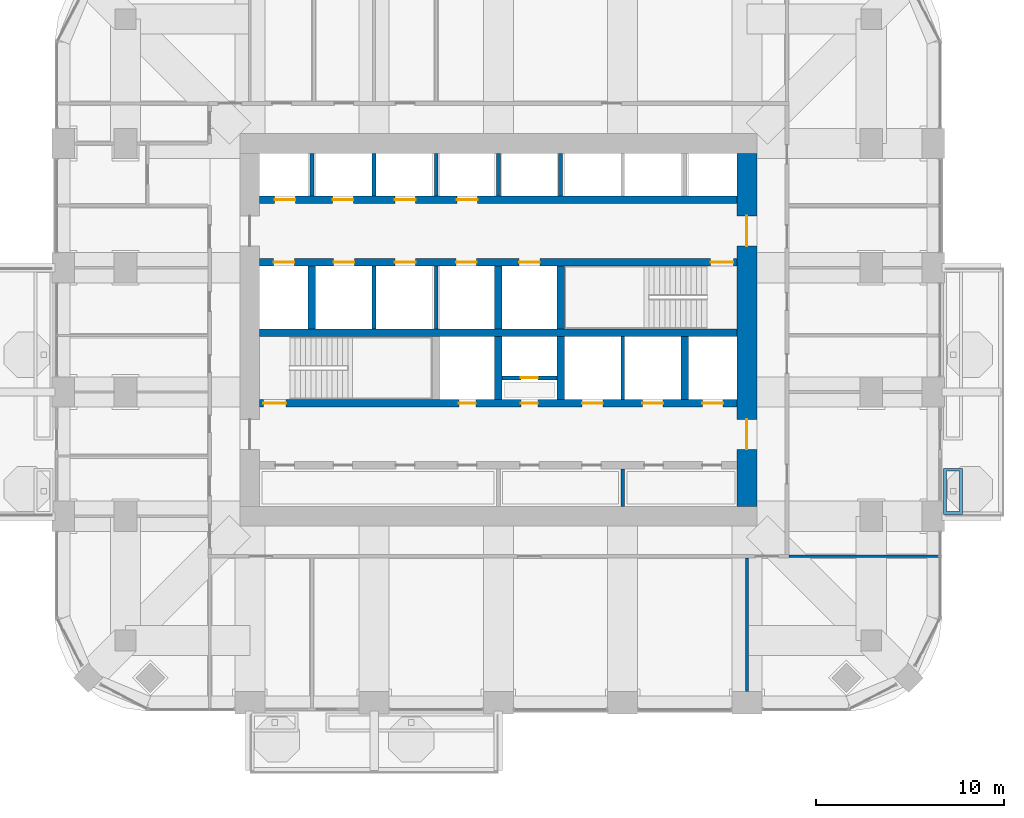
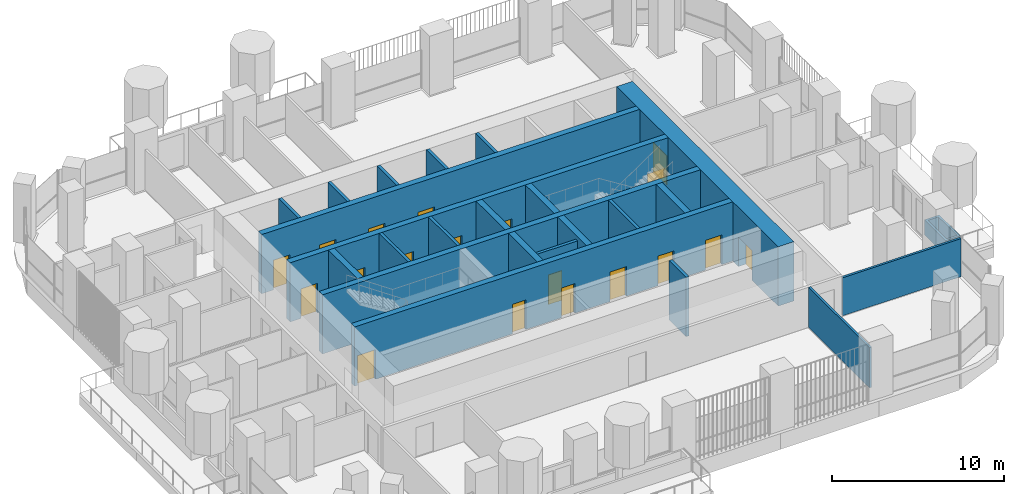
# One storey, part 13 of 20: 24 walls, 19 doors, 19 openings.
"""IFC4 building model written with IfcOpenShell, lengths in metres."""

import ifcopenshell
import ifcopenshell.guid

model = None  # the IFC model being written
_history = None  # IfcOwnerHistory: only IFC2X3 demands one
_inside = {}  # id of a spatial element -> (the spatial element, [elements in it])
_under = {}  # id of a project, library or spatial element -> (it, [spatial elements below it])
_declared = {}  # id of a project -> (the project, [libraries it declares])
_typed = {}  # id of a type object -> (the type object, [elements of that type])
_made_of = {}  # id of a material, layer set ... -> (it, [elements and type objects made of it])


def new_model(schema):
    """Start an empty IFC model of exactly this schema.

    Asked for "IFC4X3", IfcOpenShell would pick the latest addendum, in which some entities
    have other attributes; the version numbers below select the first issue.
    IFC2X3 requires an IfcOwnerHistory on every rooted entity: one is made here for all.
    """
    global model, _history
    if schema == "IFC4X3":
        model = ifcopenshell.file(schema_version=(4, 3, 0, 0))
    else:
        model = ifcopenshell.file(schema=schema)
    _inside.clear()
    _under.clear()
    _declared.clear()
    _typed.clear()
    _made_of.clear()
    _history = None
    if model.schema == "IFC2X3":
        org = make("IfcOrganization", Name="unknown")
        user = make(
            "IfcPersonAndOrganization",
            ThePerson=make("IfcPerson", FamilyName="unknown"),
            TheOrganization=org,
        )
        app = make(
            "IfcApplication",
            ApplicationDeveloper=org,
            Version="unknown",
            ApplicationFullName="unknown",
            ApplicationIdentifier="unknown",
        )
        _history = make(
            "IfcOwnerHistory",
            OwningUser=user,
            OwningApplication=app,
            ChangeAction="ADDED",
            CreationDate=0,
        )
    return model


def make(cls, **values):
    """One entity of the class cls with the attributes given. An attribute that is None is left unset."""
    return model.create_entity(
        cls, **{name: value for name, value in values.items() if value is not None}
    )


def rooted(cls, **values):
    """An entity with a GlobalId (a new one), such as an element, a storey or a relation."""
    return make(cls, GlobalId=ifcopenshell.guid.new(), OwnerHistory=_history, **values)


def si_unit(unit_type, name, prefix=None):
    """IfcSIUnit, for example si_unit("LENGTHUNIT", "METRE", prefix="MILLI")."""
    return make("IfcSIUnit", UnitType=unit_type, Prefix=prefix, Name=name)


def assignment(units):
    """IfcUnitAssignment: the units of a project."""
    return None if units is None else make("IfcUnitAssignment", Units=units)


def point(xyz):
    """IfcCartesianPoint."""
    return None if xyz is None else make("IfcCartesianPoint", Coordinates=xyz)


def direction(xyz):
    """IfcDirection."""
    return None if xyz is None else make("IfcDirection", DirectionRatios=xyz)


def frame(location, z_axis=None, x_axis=None):
    """IfcAxis2Placement3D, a coordinate frame: its origin and axes. An axis left out is left unset."""
    return make(
        "IfcAxis2Placement3D",
        Location=point(location),
        Axis=direction(z_axis),
        RefDirection=direction(x_axis),
    )


def frame_2d(location, x_axis=None):
    """IfcAxis2Placement2D, a coordinate frame in the plane: its origin and x axis."""
    return make(
        "IfcAxis2Placement2D", Location=point(location), RefDirection=direction(x_axis)
    )


def origin():
    """The frame at (0, 0, 0) with its axes left unset."""
    return frame((0.0, 0.0, 0.0))


def place(relative_to, where):
    """IfcLocalPlacement: puts the frame where relative to a parent placement (None: the world)."""
    return make(
        "IfcLocalPlacement", PlacementRelTo=relative_to, RelativePlacement=where
    )


def context(
    kind, dimensions, precision=None, world=None, true_north=None, identifier=None
):
    """IfcGeometricRepresentationContext, for example the 3D "Model" context."""
    return make(
        "IfcGeometricRepresentationContext",
        ContextIdentifier=identifier,
        ContextType=kind,
        CoordinateSpaceDimension=dimensions,
        Precision=precision,
        WorldCoordinateSystem=world,
        TrueNorth=true_north,
    )


def subcontext(parent, identifier, kind, view, scale=None):
    """IfcGeometricRepresentationSubContext, for example "Body" below "Model"."""
    return make(
        "IfcGeometricRepresentationSubContext",
        ContextIdentifier=identifier,
        ContextType=kind,
        ParentContext=parent,
        TargetScale=scale,
        TargetView=view,
    )


def project(units=None, contexts=None):
    """IfcProject with its units and contexts."""
    return rooted(
        "IfcProject",
        Name="project",
        RepresentationContexts=contexts,
        UnitsInContext=assignment(units),
    )


def spatial(cls, under=None, at=None, **own):
    """A site, building, storey or space (cls), placed at a placement, below another one or the project."""
    s = rooted(cls, ObjectPlacement=at, **own)
    if under is not None:
        _under.setdefault(under.id(), (under, []))[1].append(s)
    return s


def polyline(points):
    """IfcPolyline through the points."""
    return make("IfcPolyline", Points=[point(p) for p in points])


def profile(cls, at=None, kind="AREA", **sizes):
    """A parametric profile (cls). Its sizes go by their IFC names, for example OverallWidth=200.0."""
    return make(cls, ProfileType=kind, Position=at, **sizes)


def rectangle(**sizes):
    """IfcRectangleProfileDef."""
    return profile("IfcRectangleProfileDef", **sizes)


def outline(outer, holes=None, kind="AREA"):
    """IfcArbitraryClosedProfileDef: a profile drawn as a closed curve; with holes, ...WithVoids."""
    if holes is None:
        return make("IfcArbitraryClosedProfileDef", ProfileType=kind, OuterCurve=outer)
    return make(
        "IfcArbitraryProfileDefWithVoids",
        ProfileType=kind,
        OuterCurve=outer,
        InnerCurves=holes,
    )


def extrude(swept, where, along, depth):
    """IfcExtrudedAreaSolid: the profile swept, set in the frame where, extruded along a direction by depth."""
    return make(
        "IfcExtrudedAreaSolid",
        SweptArea=swept,
        Position=where,
        ExtrudedDirection=direction(along),
        Depth=depth,
    )


def shape(context_of_items, identifier, shape_type, items):
    """IfcShapeRepresentation: the items that make up one representation, for example the "Body"."""
    return make(
        "IfcShapeRepresentation",
        ContextOfItems=context_of_items,
        RepresentationIdentifier=identifier,
        RepresentationType=shape_type,
        Items=items,
    )


def material(Name=None, Category=None):
    """IfcMaterial."""
    return make("IfcMaterial", Name=Name, Category=Category)


def layer(
    of_material, thickness, ventilated=None, Name=None, Category=None, Priority=None
):
    """IfcMaterialLayer: one layer of a wall or slab, of a material (None: an air gap)."""
    return make(
        "IfcMaterialLayer",
        Material=of_material,
        LayerThickness=thickness,
        IsVentilated=ventilated,
        Name=Name,
        Category=Category,
        Priority=Priority,
    )


def layer_set(layers, Name=None):
    """IfcMaterialLayerSet."""
    return make("IfcMaterialLayerSet", MaterialLayers=layers, LayerSetName=Name)


def made_of(thing, what):
    """Note that an element or type object is made of a material, layer set ...; save() writes the relation."""
    if what is not None:
        _made_of.setdefault(what.id(), (what, []))[1].append(thing)
    return thing


def type_object(cls, material=None, **own):
    """A type object (cls), such as IfcWallType, which elements share."""
    return made_of(rooted(cls, **own), material)


def element(
    cls,
    number,
    at=None,
    inside=None,
    cuts=None,
    type_object=None,
    material=None,
    context=None,
    identifier="Body",
    shape_type=None,
    held_by="IfcProductDefinitionShape",
    body=None,
    shapes=None,
    **own,
):
    """One element of the class cls, such as IfcWall. Its Tag is "e" and its number.

    at: its placement. inside: the storey or other place that contains it. cuts: it is an
    opening in that element (IfcRelVoidsElement). A single representation is given by context,
    identifier, shape_type and body (its items); several are given by shapes. held_by: the class
    of the entity that holds the representations. save() writes the other relations.
    """
    e = rooted(cls, Tag="e%d" % number, ObjectPlacement=at, **own)
    if body is not None:
        shapes = [shape(context, identifier, shape_type, body)]
    if shapes is not None:
        e.Representation = make(held_by, Representations=shapes)
    if inside is not None:
        _inside.setdefault(inside.id(), (inside, []))[1].append(e)
    if cuts is not None:
        rooted(
            "IfcRelVoidsElement", RelatingBuildingElement=cuts, RelatedOpeningElement=e
        )
    if type_object is not None:
        _typed.setdefault(type_object.id(), (type_object, []))[1].append(e)
    return made_of(e, material)


def fill(opening, filler):
    """IfcRelFillsElement: the door or window that sits in an opening."""
    return rooted(
        "IfcRelFillsElement",
        RelatingOpeningElement=opening,
        RelatedBuildingElement=filler,
    )


def aggregate(whole, parts):
    """IfcRelAggregates: a whole, such as a stair, and the parts it consists of."""
    return rooted("IfcRelAggregates", RelatingObject=whole, RelatedObjects=parts)


def save(model, path):
    """Write the relations noted so far, then the file.

    IfcRelAggregates (storeys below a building ...), IfcRelContainedInSpatialStructure (elements
    in a storey), IfcRelDefinesByType, IfcRelAssociatesMaterial and IfcRelDeclares: one each for
    every whole, place, type object, material and project.
    """
    for whole, parts in _under.values():
        aggregate(whole, parts)
    for where, things in _inside.values():
        rooted(
            "IfcRelContainedInSpatialStructure",
            RelatedElements=things,
            RelatingStructure=where,
        )
    for kind, things in _typed.values():
        rooted("IfcRelDefinesByType", RelatedObjects=things, RelatingType=kind)
    for what, things in _made_of.values():
        rooted("IfcRelAssociatesMaterial", RelatedObjects=things, RelatingMaterial=what)
    for by, libraries in _declared.values():
        rooted("IfcRelDeclares", RelatingContext=by, RelatedDefinitions=libraries)
    model.write(path)


model = new_model("IFC4")

# Units and contexts
model_context = context("Model", 3, precision=1e-05, world=origin(), true_north=direction((0.0, 1.0)))
body_context = subcontext(model_context, "Body", "Model", "MODEL_VIEW")
ifc_project = project(units=[si_unit("LENGTHUNIT", "METRE"), si_unit("AREAUNIT", "SQUARE_METRE"), si_unit("VOLUMEUNIT", "CUBIC_METRE"), si_unit("PLANEANGLEUNIT", "RADIAN"), si_unit("MASSUNIT", "GRAM", prefix="KILO")], contexts=[model_context])

# Site, building, storey
site_placement = place(None, origin())
site = spatial("IfcSite", under=ifc_project, at=site_placement, CompositionType="ELEMENT")
building_placement = place(site_placement, origin())
building = spatial("IfcBuilding", under=site, at=building_placement, Name="Cobogo Forest Laboratory Tower", CompositionType="ELEMENT")
storey_placement = place(building_placement, frame((0.0, 0.0, 201.89990234375)))
storey = spatial("IfcBuildingStorey", under=building, at=storey_placement, Name="L46", CompositionType="ELEMENT", Elevation=201.89990234375)

# Wall, openings, doors
ifc_material_1 = material(Name="Concrete HA-50 (C50/60)", Category="concrete")
ifc_layer_1 = layer(ifc_material_1, 0.39990234375)
ifc_layer_set_1 = layer_set([ifc_layer_1], Name="CI400 core inner wall 400")
wall_type_1 = type_object("IfcWallType", Name="CI400 core inner wall 400", PredefinedType="SHEAR", material=ifc_layer_set_1)
wall_1_placement = place(storey_placement, frame((13.72509765625, 19.199951171875, 0.0), z_axis=(0.0, 0.0, 1.0), x_axis=(1.0, 0.0, 0.0)))
wall_1 = element("IfcWall", 1, at=wall_1_placement, inside=storey, type_object=wall_type_1, Name="Core wall CI-19.2 L46", PredefinedType="SHEAR", context=body_context, shape_type="SweptSolid", body=[
    extrude(rectangle(XDim=25.349853515625, YDim=0.39990234375, at=frame_2d((12.6748046875, 0.0))), origin(), (0.0, 0.0, 1.0), 4.2001953125),
])
opening_1_placement = place(wall_1_placement, frame((10.574951171875, 0.0, 0.0)))
opening_1 = element("IfcOpeningElement", 2, at=opening_1_placement, cuts=wall_1, Name="Opening L46-D22", PredefinedType="OPENING", context=body_context, shape_type="SweptSolid", body=[
    extrude(rectangle(XDim=0.89990234375, YDim=2.10009765625, at=frame_2d((0.449951171875, 1.050048828125))), frame((0.0, 0.2099609375, 0.0), z_axis=(0.0, -1.0, 0.0), x_axis=(1.0, 0.0, 0.0)), (0.0, 0.0, 1.0), 0.419921875),
])
opening_2_placement = place(wall_1_placement, frame((13.875, 0.0, 0.0)))
opening_2 = element("IfcOpeningElement", 3, at=opening_2_placement, cuts=wall_1, Name="Opening L46-D23", PredefinedType="OPENING", context=body_context, shape_type="SweptSolid", body=[
    extrude(rectangle(XDim=0.89990234375, YDim=2.10009765625, at=frame_2d((0.449951171875, 1.050048828125))), frame((0.0, 0.2099609375, 0.0), z_axis=(0.0, -1.0, 0.0), x_axis=(1.0, 0.0, 0.0)), (0.0, 0.0, 1.0), 0.419921875),
])
opening_3_placement = place(wall_1_placement, frame((0.199951171875, 0.0, 0.0)))
opening_3 = element("IfcOpeningElement", 4, at=opening_3_placement, cuts=wall_1, Name="Opening L46-D21", PredefinedType="OPENING", context=body_context, shape_type="SweptSolid", body=[
    extrude(rectangle(XDim=1.199951171875, YDim=2.10009765625, at=frame_2d((0.60009765625, 1.050048828125))), frame((0.0, 0.2099609375, 0.0), z_axis=(0.0, -1.0, 0.0), x_axis=(1.0, 0.0, 0.0)), (0.0, 0.0, 1.0), 0.419921875),
])
opening_4_placement = place(wall_1_placement, frame((23.512451171875, 0.0, 0.0)))
opening_4 = element("IfcOpeningElement", 5, at=opening_4_placement, cuts=wall_1, Name="Opening L46-LD-FL2", PredefinedType="OPENING", context=body_context, shape_type="SweptSolid", body=[
    extrude(rectangle(XDim=1.10009765625, YDim=2.10009765625, at=frame_2d((0.550048828125, 1.050048828125))), frame((0.0, 0.2099609375, 0.0), z_axis=(0.0, -1.0, 0.0), x_axis=(1.0, 0.0, 0.0)), (0.0, 0.0, 1.0), 0.419921875),
])
opening_5_placement = place(wall_1_placement, frame((17.125, 0.0, 0.0)))
opening_5 = element("IfcOpeningElement", 6, at=opening_5_placement, cuts=wall_1, Name="Opening L46-LD-LS1", PredefinedType="OPENING", context=body_context, shape_type="SweptSolid", body=[
    extrude(rectangle(XDim=1.10009765625, YDim=2.10009765625, at=frame_2d((0.550048828125, 1.050048828125))), frame((0.0, 0.2099609375, 0.0), z_axis=(0.0, -1.0, 0.0), x_axis=(1.0, 0.0, 0.0)), (0.0, 0.0, 1.0), 0.419921875),
])
opening_6_placement = place(wall_1_placement, frame((20.324951171875, 0.0, 0.0)))
opening_6 = element("IfcOpeningElement", 7, at=opening_6_placement, cuts=wall_1, Name="Opening L46-LD-LS2", PredefinedType="OPENING", context=body_context, shape_type="SweptSolid", body=[
    extrude(rectangle(XDim=1.10009765625, YDim=2.10009765625, at=frame_2d((0.550048828125, 1.050048828125))), frame((0.0, 0.2099609375, 0.0), z_axis=(0.0, -1.0, 0.0), x_axis=(1.0, 0.0, 0.0)), (0.0, 0.0, 1.0), 0.419921875),
])
ifc_material_2 = material(Name="Steel fire door", Category="steel")
door_type_1 = type_object("IfcDoorType", Name="DS1 protected stair door 1200 EI2 60", OperationType="SINGLE_SWING_LEFT", PredefinedType="DOOR", material=ifc_material_2)
door_1_placement = place(opening_3_placement, origin())
door_1 = element("IfcDoor", 8, at=door_1_placement, inside=storey, type_object=door_type_1, Name="Door L46-ST1", OperationType="SINGLE_SWING_LEFT", OverallHeight=2.10009765625, OverallWidth=1.199951171875, PredefinedType="DOOR", context=body_context, shape_type="SweptSolid", body=[
    extrude(rectangle(XDim=1.199951171875, YDim=2.10009765625, at=frame_2d((0.60009765625, 1.050048828125))), frame((0.0, 0.02490234375, 0.0), z_axis=(0.0, -1.0, 0.0), x_axis=(1.0, 0.0, 0.0)), (0.0, 0.0, 1.0), 0.050048828125),
])
fill(opening_3, door_1)
door_type_2 = type_object("IfcDoorType", Name="FD4 riser access door 900 EI2 60", OperationType="SINGLE_SWING_LEFT", PredefinedType="DOOR", material=ifc_material_2)
door_2_placement = place(opening_1_placement, origin())
door_2 = element("IfcDoor", 9, at=door_2_placement, inside=storey, type_object=door_type_2, Name="Door L46-R1", OperationType="SINGLE_SWING_LEFT", OverallHeight=2.10009765625, OverallWidth=0.89990234375, PredefinedType="DOOR", context=body_context, shape_type="SweptSolid", body=[
    extrude(rectangle(XDim=0.89990234375, YDim=2.10009765625, at=frame_2d((0.449951171875, 1.050048828125))), frame((0.0, 0.02490234375, 0.0), z_axis=(0.0, -1.0, 0.0), x_axis=(1.0, 0.0, 0.0)), (0.0, 0.0, 1.0), 0.050048828125),
])
fill(opening_1, door_2)
door_3_placement = place(opening_2_placement, origin())
door_3 = element("IfcDoor", 10, at=door_3_placement, inside=storey, type_object=door_type_2, Name="Door L46-R2V", OperationType="SINGLE_SWING_RIGHT", OverallHeight=2.10009765625, OverallWidth=0.89990234375, PredefinedType="DOOR", context=body_context, shape_type="SweptSolid", body=[
    extrude(rectangle(XDim=0.89990234375, YDim=2.10009765625, at=frame_2d((0.449951171875, 1.050048828125))), frame((0.0, 0.02490234375, 0.0), z_axis=(0.0, -1.0, 0.0), x_axis=(1.0, 0.0, 0.0)), (0.0, 0.0, 1.0), 0.050048828125),
])
fill(opening_2, door_3)
ifc_material_3 = material(Name="Stainless steel lift door", Category="steel")
door_type_3 = type_object("IfcDoorType", Name="LD lift landing door 1100", OperationType="DOUBLE_DOOR_SLIDING", PredefinedType="DOOR", material=ifc_material_3)
door_4_placement = place(opening_4_placement, origin())
door_4 = element("IfcDoor", 11, at=door_4_placement, inside=storey, type_object=door_type_3, Name="Lift landing door FL2 L46", OperationType="DOUBLE_DOOR_SLIDING", OverallHeight=2.10009765625, OverallWidth=1.10009765625, PredefinedType="DOOR", context=body_context, shape_type="SweptSolid", body=[
    extrude(rectangle(XDim=1.10009765625, YDim=2.10009765625, at=frame_2d((0.550048828125, 1.050048828125))), frame((0.0, 0.02490234375, 0.0), z_axis=(0.0, -1.0, 0.0), x_axis=(1.0, 0.0, 0.0)), (0.0, 0.0, 1.0), 0.050048828125),
])
fill(opening_4, door_4)
door_5_placement = place(opening_5_placement, origin())
door_5 = element("IfcDoor", 12, at=door_5_placement, inside=storey, type_object=door_type_3, Name="Lift landing door LS1 L46", OperationType="DOUBLE_DOOR_SLIDING", OverallHeight=2.10009765625, OverallWidth=1.10009765625, PredefinedType="DOOR", context=body_context, shape_type="SweptSolid", body=[
    extrude(rectangle(XDim=1.10009765625, YDim=2.10009765625, at=frame_2d((0.550048828125, 1.050048828125))), frame((0.0, 0.02490234375, 0.0), z_axis=(0.0, -1.0, 0.0), x_axis=(1.0, 0.0, 0.0)), (0.0, 0.0, 1.0), 0.050048828125),
])
fill(opening_5, door_5)
door_6_placement = place(opening_6_placement, origin())
door_6 = element("IfcDoor", 13, at=door_6_placement, inside=storey, type_object=door_type_3, Name="Lift landing door LS2 L46", OperationType="DOUBLE_DOOR_SLIDING", OverallHeight=2.10009765625, OverallWidth=1.10009765625, PredefinedType="DOOR", context=body_context, shape_type="SweptSolid", body=[
    extrude(rectangle(XDim=1.10009765625, YDim=2.10009765625, at=frame_2d((0.550048828125, 1.050048828125))), frame((0.0, 0.02490234375, 0.0), z_axis=(0.0, -1.0, 0.0), x_axis=(1.0, 0.0, 0.0)), (0.0, 0.0, 1.0), 0.050048828125),
])
fill(opening_6, door_6)

# Wall
wall_2_placement = place(storey_placement, frame((13.72509765625, 22.949951171875, 0.0), z_axis=(0.0, 0.0, 1.0), x_axis=(1.0, 0.0, 0.0)))
element("IfcWall", 14, at=wall_2_placement, inside=storey, type_object=wall_type_1, Name="Core wall CI-22.95 L46", PredefinedType="SHEAR", context=body_context, shape_type="SweptSolid", body=[
    extrude(rectangle(XDim=25.349853515625, YDim=0.39990234375, at=frame_2d((12.6748046875, 0.0))), origin(), (0.0, 0.0, 1.0), 4.2001953125),
])

# Wall, openings, doors
wall_3_placement = place(storey_placement, frame((13.72509765625, 26.699951171875, 0.0), z_axis=(0.0, 0.0, 1.0), x_axis=(1.0, 0.0, 0.0)))
wall_3 = element("IfcWall", 15, at=wall_3_placement, inside=storey, type_object=wall_type_1, Name="Core wall CI-26.7 L46", PredefinedType="SHEAR", context=body_context, shape_type="SweptSolid", body=[
    extrude(rectangle(XDim=25.349853515625, YDim=0.39990234375, at=frame_2d((12.6748046875, 0.0))), origin(), (0.0, 0.0, 1.0), 4.2001953125),
])
opening_7_placement = place(wall_3_placement, frame((23.949951171875, 0.0, 0.0)))
opening_7 = element("IfcOpeningElement", 16, at=opening_7_placement, cuts=wall_3, Name="Opening L46-D29", PredefinedType="OPENING", context=body_context, shape_type="SweptSolid", body=[
    extrude(rectangle(XDim=1.199951171875, YDim=2.10009765625, at=frame_2d((0.60009765625, 1.050048828125))), frame((0.0, 0.2099609375, 0.0), z_axis=(0.0, -1.0, 0.0), x_axis=(1.0, 0.0, 0.0)), (0.0, 0.0, 1.0), 0.419921875),
])
opening_8_placement = place(wall_3_placement, frame((0.737548828125, 0.0, 0.0)))
opening_8 = element("IfcOpeningElement", 17, at=opening_8_placement, cuts=wall_3, Name="Opening L46-LD-FL1", PredefinedType="OPENING", context=body_context, shape_type="SweptSolid", body=[
    extrude(rectangle(XDim=1.10009765625, YDim=2.10009765625, at=frame_2d((0.550048828125, 1.050048828125))), frame((0.0, 0.2099609375, 0.0), z_axis=(0.0, -1.0, 0.0), x_axis=(1.0, 0.0, 0.0)), (0.0, 0.0, 1.0), 0.419921875),
])
opening_9_placement = place(wall_3_placement, frame((3.925048828125, 0.0, 0.0)))
opening_9 = element("IfcOpeningElement", 18, at=opening_9_placement, cuts=wall_3, Name="Opening L46-LD-LS3", PredefinedType="OPENING", context=body_context, shape_type="SweptSolid", body=[
    extrude(rectangle(XDim=1.10009765625, YDim=2.10009765625, at=frame_2d((0.550048828125, 1.050048828125))), frame((0.0, 0.2099609375, 0.0), z_axis=(0.0, -1.0, 0.0), x_axis=(1.0, 0.0, 0.0)), (0.0, 0.0, 1.0), 0.419921875),
])
opening_10_placement = place(wall_3_placement, frame((7.175048828125, 0.0, 0.0)))
opening_10 = element("IfcOpeningElement", 19, at=opening_10_placement, cuts=wall_3, Name="Opening L46-LD-LS4", PredefinedType="OPENING", context=body_context, shape_type="SweptSolid", body=[
    extrude(rectangle(XDim=1.10009765625, YDim=2.10009765625, at=frame_2d((0.550048828125, 1.050048828125))), frame((0.0, 0.2099609375, 0.0), z_axis=(0.0, -1.0, 0.0), x_axis=(1.0, 0.0, 0.0)), (0.0, 0.0, 1.0), 0.419921875),
])
opening_11_placement = place(wall_3_placement, frame((10.425048828125, 0.0, 0.0)))
opening_11 = element("IfcOpeningElement", 20, at=opening_11_placement, cuts=wall_3, Name="Opening L46-LD-LS5", PredefinedType="OPENING", context=body_context, shape_type="SweptSolid", body=[
    extrude(rectangle(XDim=1.10009765625, YDim=2.10009765625, at=frame_2d((0.550048828125, 1.050048828125))), frame((0.0, 0.2099609375, 0.0), z_axis=(0.0, -1.0, 0.0), x_axis=(1.0, 0.0, 0.0)), (0.0, 0.0, 1.0), 0.419921875),
])
opening_12_placement = place(wall_3_placement, frame((13.77490234375, 0.0, 0.0)))
opening_12 = element("IfcOpeningElement", 21, at=opening_12_placement, cuts=wall_3, Name="Opening L46-LD-LS6", PredefinedType="OPENING", context=body_context, shape_type="SweptSolid", body=[
    extrude(rectangle(XDim=1.10009765625, YDim=2.10009765625, at=frame_2d((0.550048828125, 1.050048828125))), frame((0.0, 0.2099609375, 0.0), z_axis=(0.0, -1.0, 0.0), x_axis=(1.0, 0.0, 0.0)), (0.0, 0.0, 1.0), 0.419921875),
])
door_7_placement = place(opening_7_placement, origin())
door_7 = element("IfcDoor", 22, at=door_7_placement, inside=storey, type_object=door_type_1, Name="Door L46-ST2", OperationType="SINGLE_SWING_RIGHT", OverallHeight=2.10009765625, OverallWidth=1.199951171875, PredefinedType="DOOR", context=body_context, shape_type="SweptSolid", body=[
    extrude(rectangle(XDim=1.199951171875, YDim=2.10009765625, at=frame_2d((0.60009765625, 1.050048828125))), frame((0.0, 0.02490234375, 0.0), z_axis=(0.0, -1.0, 0.0), x_axis=(1.0, 0.0, 0.0)), (0.0, 0.0, 1.0), 0.050048828125),
])
fill(opening_7, door_7)
door_8_placement = place(opening_8_placement, origin())
door_8 = element("IfcDoor", 23, at=door_8_placement, inside=storey, type_object=door_type_3, Name="Lift landing door FL1 L46", OperationType="DOUBLE_DOOR_SLIDING", OverallHeight=2.10009765625, OverallWidth=1.10009765625, PredefinedType="DOOR", context=body_context, shape_type="SweptSolid", body=[
    extrude(rectangle(XDim=1.10009765625, YDim=2.10009765625, at=frame_2d((0.550048828125, 1.050048828125))), frame((0.0, 0.02490234375, 0.0), z_axis=(0.0, -1.0, 0.0), x_axis=(1.0, 0.0, 0.0)), (0.0, 0.0, 1.0), 0.050048828125),
])
fill(opening_8, door_8)
door_9_placement = place(opening_9_placement, origin())
door_9 = element("IfcDoor", 24, at=door_9_placement, inside=storey, type_object=door_type_3, Name="Lift landing door LS3 L46", OperationType="DOUBLE_DOOR_SLIDING", OverallHeight=2.10009765625, OverallWidth=1.10009765625, PredefinedType="DOOR", context=body_context, shape_type="SweptSolid", body=[
    extrude(rectangle(XDim=1.10009765625, YDim=2.10009765625, at=frame_2d((0.550048828125, 1.050048828125))), frame((0.0, 0.02490234375, 0.0), z_axis=(0.0, -1.0, 0.0), x_axis=(1.0, 0.0, 0.0)), (0.0, 0.0, 1.0), 0.050048828125),
])
fill(opening_9, door_9)
door_10_placement = place(opening_10_placement, origin())
door_10 = element("IfcDoor", 25, at=door_10_placement, inside=storey, type_object=door_type_3, Name="Lift landing door LS4 L46", OperationType="DOUBLE_DOOR_SLIDING", OverallHeight=2.10009765625, OverallWidth=1.10009765625, PredefinedType="DOOR", context=body_context, shape_type="SweptSolid", body=[
    extrude(rectangle(XDim=1.10009765625, YDim=2.10009765625, at=frame_2d((0.550048828125, 1.050048828125))), frame((0.0, 0.02490234375, 0.0), z_axis=(0.0, -1.0, 0.0), x_axis=(1.0, 0.0, 0.0)), (0.0, 0.0, 1.0), 0.050048828125),
])
fill(opening_10, door_10)
door_11_placement = place(opening_11_placement, origin())
door_11 = element("IfcDoor", 26, at=door_11_placement, inside=storey, type_object=door_type_3, Name="Lift landing door LS5 L46", OperationType="DOUBLE_DOOR_SLIDING", OverallHeight=2.10009765625, OverallWidth=1.10009765625, PredefinedType="DOOR", context=body_context, shape_type="SweptSolid", body=[
    extrude(rectangle(XDim=1.10009765625, YDim=2.10009765625, at=frame_2d((0.550048828125, 1.050048828125))), frame((0.0, 0.02490234375, 0.0), z_axis=(0.0, -1.0, 0.0), x_axis=(1.0, 0.0, 0.0)), (0.0, 0.0, 1.0), 0.050048828125),
])
fill(opening_11, door_11)
door_12_placement = place(opening_12_placement, origin())
door_12 = element("IfcDoor", 27, at=door_12_placement, inside=storey, type_object=door_type_3, Name="Lift landing door LS6 L46", OperationType="DOUBLE_DOOR_SLIDING", OverallHeight=2.10009765625, OverallWidth=1.10009765625, PredefinedType="DOOR", context=body_context, shape_type="SweptSolid", body=[
    extrude(rectangle(XDim=1.10009765625, YDim=2.10009765625, at=frame_2d((0.550048828125, 1.050048828125))), frame((0.0, 0.02490234375, 0.0), z_axis=(0.0, -1.0, 0.0), x_axis=(1.0, 0.0, 0.0)), (0.0, 0.0, 1.0), 0.050048828125),
])
fill(opening_12, door_12)

wall_4_placement = place(storey_placement, frame((13.72509765625, 30.0, 0.0), z_axis=(0.0, 0.0, 1.0), x_axis=(1.0, 0.0, 0.0)))
wall_4 = element("IfcWall", 28, at=wall_4_placement, inside=storey, type_object=wall_type_1, Name="Core wall CI-30.0 L46", PredefinedType="SHEAR", context=body_context, shape_type="SweptSolid", body=[
    extrude(rectangle(XDim=25.349853515625, YDim=0.39990234375, at=frame_2d((12.6748046875, 0.0))), origin(), (0.0, 0.0, 1.0), 4.2001953125),
])
opening_13_placement = place(wall_4_placement, frame((0.78759765625, 0.0, 0.0)))
opening_13 = element("IfcOpeningElement", 29, at=opening_13_placement, cuts=wall_4, Name="Opening L46-LD-LC1", PredefinedType="OPENING", context=body_context, shape_type="SweptSolid", body=[
    extrude(rectangle(XDim=1.10009765625, YDim=2.10009765625, at=frame_2d((0.550048828125, 1.050048828125))), frame((0.0, 0.2099609375, 0.0), z_axis=(0.0, -1.0, 0.0), x_axis=(1.0, 0.0, 0.0)), (0.0, 0.0, 1.0), 0.419921875),
])
opening_14_placement = place(wall_4_placement, frame((3.875, 0.0, 0.0)))
opening_14 = element("IfcOpeningElement", 30, at=opening_14_placement, cuts=wall_4, Name="Opening L46-LD-LC2", PredefinedType="OPENING", context=body_context, shape_type="SweptSolid", body=[
    extrude(rectangle(XDim=1.10009765625, YDim=2.10009765625, at=frame_2d((0.550048828125, 1.050048828125))), frame((0.0, 0.2099609375, 0.0), z_axis=(0.0, -1.0, 0.0), x_axis=(1.0, 0.0, 0.0)), (0.0, 0.0, 1.0), 0.419921875),
])
opening_15_placement = place(wall_4_placement, frame((7.175048828125, 0.0, 0.0)))
opening_15 = element("IfcOpeningElement", 31, at=opening_15_placement, cuts=wall_4, Name="Opening L46-LD-LC3", PredefinedType="OPENING", context=body_context, shape_type="SweptSolid", body=[
    extrude(rectangle(XDim=1.10009765625, YDim=2.10009765625, at=frame_2d((0.550048828125, 1.050048828125))), frame((0.0, 0.2099609375, 0.0), z_axis=(0.0, -1.0, 0.0), x_axis=(1.0, 0.0, 0.0)), (0.0, 0.0, 1.0), 0.419921875),
])
opening_16_placement = place(wall_4_placement, frame((10.47509765625, 0.0, 0.0)))
opening_16 = element("IfcOpeningElement", 32, at=opening_16_placement, cuts=wall_4, Name="Opening L46-LD-LC4", PredefinedType="OPENING", context=body_context, shape_type="SweptSolid", body=[
    extrude(rectangle(XDim=1.10009765625, YDim=2.10009765625, at=frame_2d((0.550048828125, 1.050048828125))), frame((0.0, 0.2099609375, 0.0), z_axis=(0.0, -1.0, 0.0), x_axis=(1.0, 0.0, 0.0)), (0.0, 0.0, 1.0), 0.419921875),
])
door_13_placement = place(opening_13_placement, origin())
door_13 = element("IfcDoor", 33, at=door_13_placement, inside=storey, type_object=door_type_3, Name="Lift landing door LC1 L46", OperationType="DOUBLE_DOOR_SLIDING", OverallHeight=2.10009765625, OverallWidth=1.10009765625, PredefinedType="DOOR", context=body_context, shape_type="SweptSolid", body=[
    extrude(rectangle(XDim=1.10009765625, YDim=2.10009765625, at=frame_2d((0.550048828125, 1.050048828125))), frame((0.0, 0.02490234375, 0.0), z_axis=(0.0, -1.0, 0.0), x_axis=(1.0, 0.0, 0.0)), (0.0, 0.0, 1.0), 0.050048828125),
])
fill(opening_13, door_13)
door_14_placement = place(opening_14_placement, origin())
door_14 = element("IfcDoor", 34, at=door_14_placement, inside=storey, type_object=door_type_3, Name="Lift landing door LC2 L46", OperationType="DOUBLE_DOOR_SLIDING", OverallHeight=2.10009765625, OverallWidth=1.10009765625, PredefinedType="DOOR", context=body_context, shape_type="SweptSolid", body=[
    extrude(rectangle(XDim=1.10009765625, YDim=2.10009765625, at=frame_2d((0.550048828125, 1.050048828125))), frame((0.0, 0.02490234375, 0.0), z_axis=(0.0, -1.0, 0.0), x_axis=(1.0, 0.0, 0.0)), (0.0, 0.0, 1.0), 0.050048828125),
])
fill(opening_14, door_14)
door_15_placement = place(opening_15_placement, origin())
door_15 = element("IfcDoor", 35, at=door_15_placement, inside=storey, type_object=door_type_3, Name="Lift landing door LC3 L46", OperationType="DOUBLE_DOOR_SLIDING", OverallHeight=2.10009765625, OverallWidth=1.10009765625, PredefinedType="DOOR", context=body_context, shape_type="SweptSolid", body=[
    extrude(rectangle(XDim=1.10009765625, YDim=2.10009765625, at=frame_2d((0.550048828125, 1.050048828125))), frame((0.0, 0.02490234375, 0.0), z_axis=(0.0, -1.0, 0.0), x_axis=(1.0, 0.0, 0.0)), (0.0, 0.0, 1.0), 0.050048828125),
])
fill(opening_15, door_15)
door_16_placement = place(opening_16_placement, origin())
door_16 = element("IfcDoor", 36, at=door_16_placement, inside=storey, type_object=door_type_3, Name="Lift landing door LC4 L46", OperationType="DOUBLE_DOOR_SLIDING", OverallHeight=2.10009765625, OverallWidth=1.10009765625, PredefinedType="DOOR", context=body_context, shape_type="SweptSolid", body=[
    extrude(rectangle(XDim=1.10009765625, YDim=2.10009765625, at=frame_2d((0.550048828125, 1.050048828125))), frame((0.0, 0.02490234375, 0.0), z_axis=(0.0, -1.0, 0.0), x_axis=(1.0, 0.0, 0.0)), (0.0, 0.0, 1.0), 0.050048828125),
])
fill(opening_16, door_16)

# Walls
for number, where, z_axis, x_axis, name in (
    (37, (26.39990234375, 19.39990234375, 0.0), (0.0, 0.0, 1.0), (0.0, 1.0, 0.0), "Core wall CX-26.4S L46"),
    (38, (29.699951171875, 19.39990234375, 0.0), (0.0, 0.0, 1.0), (0.0, 1.0, 0.0), "Core wall CX-29.7S L46"),
    (39, (36.300048828125, 19.39990234375, 0.0), (0.0, 0.0, 1.0), (0.0, 1.0, 0.0), "Core wall CX-36.3 L46"),
    (40, (16.5, 23.14990234375, 0.0), (0.0, 0.0, 1.0), (0.0, 1.0, 0.0), "Core wall CX-16.5 L46"),
    (41, (26.39990234375, 23.14990234375, 0.0), (0.0, 0.0, 1.0), (0.0, 1.0, 0.0), "Core wall CX-26.4N L46"),
    (42, (29.699951171875, 23.14990234375, 0.0), (0.0, 0.0, 1.0), (0.0, 1.0, 0.0), "Core wall CX-29.7N L46"),
):
    element("IfcWall", number, at=place(storey_placement, frame(where, z_axis=z_axis, x_axis=x_axis)), inside=storey, type_object=wall_type_1, Name=name, PredefinedType="SHEAR", context=body_context, shape_type="SweptSolid", body=[
        extrude(rectangle(XDim=3.35009765625, YDim=0.39990234375, at=frame_2d((1.675048828125, 0.0))), origin(), (0.0, 0.0, 1.0), 4.2001953125),
    ])

# Wall, openings, doors
ifc_layer_2 = layer(ifc_material_1, 1.050048828125)
ifc_layer_set_2 = layer_set([ifc_layer_2], Name="CW1050 core outer wall 1050")
wall_type_2 = type_object("IfcWallType", Name="CW1050 core outer wall 1050", PredefinedType="SHEAR", material=ifc_layer_set_2)
wall_5_placement = place(storey_placement, frame((39.60009765625, 13.72509765625, 0.0), z_axis=(0.0, 0.0, 1.0), x_axis=(0.0, 1.0, 0.0)))
wall_5 = element("IfcWall", 43, at=wall_5_placement, inside=storey, type_object=wall_type_2, Name="Core wall CO-E L46", PredefinedType="SHEAR", context=body_context, shape_type="SweptSolid", body=[
    extrude(rectangle(XDim=18.75, YDim=1.050048828125, at=frame_2d((9.375, 0.0))), origin(), (0.0, 0.0, 1.0), 4.2001953125),
])
opening_17_placement = place(wall_5_placement, frame((3.02490234375, 0.0, 0.0)))
opening_17 = element("IfcOpeningElement", 44, at=opening_17_placement, cuts=wall_5, Name="Opening L46-D19", PredefinedType="OPENING", context=body_context, shape_type="SweptSolid", body=[
    extrude(rectangle(XDim=1.60009765625, YDim=2.10009765625, at=frame_2d((0.800048828125, 1.050048828125))), frame((0.0, 0.534912109375, 0.0), z_axis=(0.0, -1.0, 0.0), x_axis=(1.0, 0.0, 0.0)), (0.0, 0.0, 1.0), 1.070068359375),
])
opening_18_placement = place(wall_5_placement, frame((13.824951171875, 0.0, 0.0)))
opening_18 = element("IfcOpeningElement", 45, at=opening_18_placement, cuts=wall_5, Name="Opening L46-D33", PredefinedType="OPENING", context=body_context, shape_type="SweptSolid", body=[
    extrude(rectangle(XDim=1.60009765625, YDim=2.10009765625, at=frame_2d((0.800048828125, 1.050048828125))), frame((0.0, 0.534912109375, 0.0), z_axis=(0.0, -1.0, 0.0), x_axis=(1.0, 0.0, 0.0)), (0.0, 0.0, 1.0), 1.070068359375),
])
door_type_4 = type_object("IfcDoorType", Name="DS2 protected lobby door pair 1600 EI2 60", OperationType="DOUBLE_DOOR_DOUBLE_SWING", PredefinedType="DOOR", material=ifc_material_2)
door_17_placement = place(opening_17_placement, origin())
door_17 = element("IfcDoor", 46, at=door_17_placement, inside=storey, type_object=door_type_4, Name="Door L46-CO-E-S", OperationType="DOUBLE_DOOR_DOUBLE_SWING", OverallHeight=2.10009765625, OverallWidth=1.60009765625, PredefinedType="DOOR", context=body_context, shape_type="SweptSolid", body=[
    extrude(rectangle(XDim=1.60009765625, YDim=2.10009765625, at=frame_2d((0.800048828125, 1.050048828125))), frame((0.0, 0.02490234375, 0.0), z_axis=(0.0, -1.0, 0.0), x_axis=(1.0, 0.0, 0.0)), (0.0, 0.0, 1.0), 0.050048828125),
])
fill(opening_17, door_17)
door_18_placement = place(opening_18_placement, origin())
door_18 = element("IfcDoor", 47, at=door_18_placement, inside=storey, type_object=door_type_4, Name="Door L46-CO-E-N", OperationType="DOUBLE_DOOR_DOUBLE_SWING", OverallHeight=2.10009765625, OverallWidth=1.60009765625, PredefinedType="DOOR", context=body_context, shape_type="SweptSolid", body=[
    extrude(rectangle(XDim=1.60009765625, YDim=2.10009765625, at=frame_2d((0.800048828125, 1.050048828125))), frame((0.0, 0.02490234375, 0.0), z_axis=(0.0, -1.0, 0.0), x_axis=(1.0, 0.0, 0.0)), (0.0, 0.0, 1.0), 0.050048828125),
])
fill(opening_18, door_18)

# Walls
ifc_material_4 = material(Name="Gypsum board on steel studs", Category="steel")
ifc_layer_3 = layer(ifc_material_4, 0.14990234375)
ifc_layer_set_3 = layer_set([ifc_layer_3], Name="PT1 laboratory partition 150")
wall_type_3 = type_object("IfcWallType", Name="PT1 laboratory partition 150", PredefinedType="PARTITIONING", material=ifc_layer_set_3)
wall_6_placement = place(storey_placement, frame((49.77001953125, 11.074951171875, 0.0), z_axis=(0.0, 0.0, 1.0), x_axis=(-1.0, 0.0, 0.0)))
element("IfcWall", 48, at=wall_6_placement, inside=storey, type_object=wall_type_3, Name="Partition PW-SE L46", PredefinedType="PARTITIONING", context=body_context, shape_type="SweptSolid", body=[
    extrude(rectangle(XDim=7.945068359375, YDim=0.14990234375, at=frame_2d((3.97265625, 0.0))), origin(), (0.0, 0.0, 1.0), 2.7001953125),
])
wall_7_placement = place(storey_placement, frame((39.60009765625, 3.89990234375, 0.0), z_axis=(0.0, 0.0, 1.0), x_axis=(0.0, 1.0, 0.0)))
element("IfcWall", 49, at=wall_7_placement, inside=storey, type_object=wall_type_3, Name="Partition CUT-S39.6-1 L46", PredefinedType="PARTITIONING", context=body_context, shape_type="SweptSolid", body=[
    extrude(rectangle(XDim=7.0751953125, YDim=0.14990234375, at=frame_2d((3.53759765625, 0.0))), origin(), (0.0, 0.0, 1.0), 2.85009765625),
])

# Wall, opening, door
ifc_layer_4 = layer(ifc_material_4, 0.199951171875)
ifc_layer_set_4 = layer_set([ifc_layer_4], Name="PT2 fire-rated corridor partition 200")
wall_type_4 = type_object("IfcWallType", Name="PT2 fire-rated corridor partition 200", PredefinedType="PARTITIONING", material=ifc_layer_set_4)
wall_8_placement = place(storey_placement, frame((26.60009765625, 20.550048828125, 0.0), z_axis=(0.0, 0.0, 1.0), x_axis=(1.0, 0.0, 0.0)))
wall_8 = element("IfcWall", 50, at=wall_8_placement, inside=storey, type_object=wall_type_4, Name="Partition RSPLIT-R2 L46", PredefinedType="PARTITIONING", context=body_context, shape_type="SweptSolid", body=[
    extrude(rectangle(XDim=2.89990234375, YDim=0.199951171875, at=frame_2d((1.449951171875, 0.0))), origin(), (0.0, 0.0, 1.0), 3.900146484375),
])
opening_19_placement = place(wall_8_placement, frame((1.0, 0.0, 0.0)))
opening_19 = element("IfcOpeningElement", 51, at=opening_19_placement, cuts=wall_8, Name="Opening L46-D24", PredefinedType="OPENING", context=body_context, shape_type="SweptSolid", body=[
    extrude(rectangle(XDim=0.89990234375, YDim=2.10009765625, at=frame_2d((0.449951171875, 1.050048828125))), frame((0.0, 0.10986328125, 0.0), z_axis=(0.0, -1.0, 0.0), x_axis=(1.0, 0.0, 0.0)), (0.0, 0.0, 1.0), 0.219970703125),
])
door_19_placement = place(opening_19_placement, origin())
door_19 = element("IfcDoor", 52, at=door_19_placement, inside=storey, type_object=door_type_2, Name="Door L46-R2", OperationType="SINGLE_SWING_RIGHT", OverallHeight=2.10009765625, OverallWidth=0.89990234375, PredefinedType="DOOR", context=body_context, shape_type="SweptSolid", body=[
    extrude(rectangle(XDim=0.89990234375, YDim=2.10009765625, at=frame_2d((0.449951171875, 1.050048828125))), frame((0.0, 0.02490234375, 0.0), z_axis=(0.0, -1.0, 0.0), x_axis=(1.0, 0.0, 0.0)), (0.0, 0.0, 1.0), 0.050048828125),
])
fill(opening_19, door_19)

# Walls
ifc_material_5 = material(Name="Concrete HA-40 (C40/50)", Category="concrete")
ifc_layer_5 = layer(ifc_material_5, 0.14990234375)
ifc_layer_set_5 = layer_set([ifc_layer_5], Name="Planter box 1000x1050")
wall_type_5 = type_object("IfcWallType", Name="Planter box 1000x1050", PredefinedType="USERDEFINED", material=ifc_layer_set_5)
wall_9_placement = place(storey_placement, origin())
element("IfcWall", 53, at=wall_9_placement, inside=storey, type_object=wall_type_5, Name="Planter BAL-E1-1 L46", ObjectType="PLANTER", PredefinedType="USERDEFINED", context=body_context, shape_type="SweptSolid", body=[
    extrude(outline(polyline([(50.050048828125, 13.300048828125), (51.050048828125, 13.300048828125), (51.050048828125, 15.75), (50.050048828125, 15.75), (50.050048828125, 13.300048828125)]), holes=[polyline([(50.199951171875, 13.449951171875), (50.89990234375, 13.449951171875), (50.89990234375, 15.60009765625), (50.199951171875, 15.60009765625), (50.199951171875, 13.449951171875)])]), origin(), (0.0, 0.0, 1.0), 1.050048828125),
])
ifc_material_6 = material(Name="Concrete block", Category="concrete")
ifc_layer_6 = layer(ifc_material_6, 0.199951171875)
ifc_layer_set_6 = layer_set([ifc_layer_6], Name="SW200 lift shaft separator 200")
wall_type_6 = type_object("IfcWallType", Name="SW200 lift shaft separator 200", PredefinedType="PARTITIONING", material=ifc_layer_set_6)
for number, where, z_axis, x_axis, name in (
    (54, (16.5, 30.199951171875, 0.0), (0.0, 0.0, 1.0), (0.0, 1.0, 0.0), "Core wall SEP-N1 L46"),
    (55, (19.800048828125, 30.199951171875, 0.0), (0.0, 0.0, 1.0), (0.0, 1.0, 0.0), "Core wall SEP-N2 L46"),
    (56, (23.10009765625, 30.199951171875, 0.0), (0.0, 0.0, 1.0), (0.0, 1.0, 0.0), "Core wall SEP-N3 L46"),
    (57, (26.39990234375, 30.199951171875, 0.0), (0.0, 0.0, 1.0), (0.0, 1.0, 0.0), "Core wall SEP-N4 L46"),
    (58, (29.699951171875, 30.199951171875, 0.0), (0.0, 0.0, 1.0), (0.0, 1.0, 0.0), "Core wall SEP-N5 L46"),
):
    element("IfcWall", number, at=place(storey_placement, frame(where, z_axis=z_axis, x_axis=x_axis)), inside=storey, type_object=wall_type_6, Name=name, PredefinedType="PARTITIONING", context=body_context, shape_type="SweptSolid", body=[
        extrude(rectangle(XDim=2.275146484375, YDim=0.199951171875, at=frame_2d((1.1376953125, 0.0))), origin(), (0.0, 0.0, 1.0), 4.2001953125),
    ])
wall_10_placement = place(storey_placement, frame((33.0, 13.72509765625, 0.0), z_axis=(0.0, 0.0, 1.0), x_axis=(0.0, 1.0, 0.0)))
element("IfcWall", 59, at=wall_10_placement, inside=storey, type_object=wall_type_6, Name="Core wall SEP-S6 L46", PredefinedType="PARTITIONING", context=body_context, shape_type="SweptSolid", body=[
    extrude(rectangle(XDim=1.974853515625, YDim=0.199951171875, at=frame_2d((0.9873046875, 0.0))), origin(), (0.0, 0.0, 1.0), 4.2001953125),
])
for number, where, z_axis, x_axis, name in (
    (60, (33.0, 19.39990234375, 0.0), (0.0, 0.0, 1.0), (0.0, 1.0, 0.0), "Core wall SEP-M33.0 L46"),
    (61, (19.800048828125, 23.14990234375, 0.0), (0.0, 0.0, 1.0), (0.0, 1.0, 0.0), "Core wall SEP-M19.8 L46"),
    (62, (23.10009765625, 23.14990234375, 0.0), (0.0, 0.0, 1.0), (0.0, 1.0, 0.0), "Core wall SEP-M23.1 L46"),
):
    element("IfcWall", number, at=place(storey_placement, frame(where, z_axis=z_axis, x_axis=x_axis)), inside=storey, type_object=wall_type_6, Name=name, PredefinedType="PARTITIONING", context=body_context, shape_type="SweptSolid", body=[
        extrude(rectangle(XDim=3.35009765625, YDim=0.199951171875, at=frame_2d((1.675048828125, 0.0))), origin(), (0.0, 0.0, 1.0), 4.2001953125),
    ])

save(model, "model.ifc")
